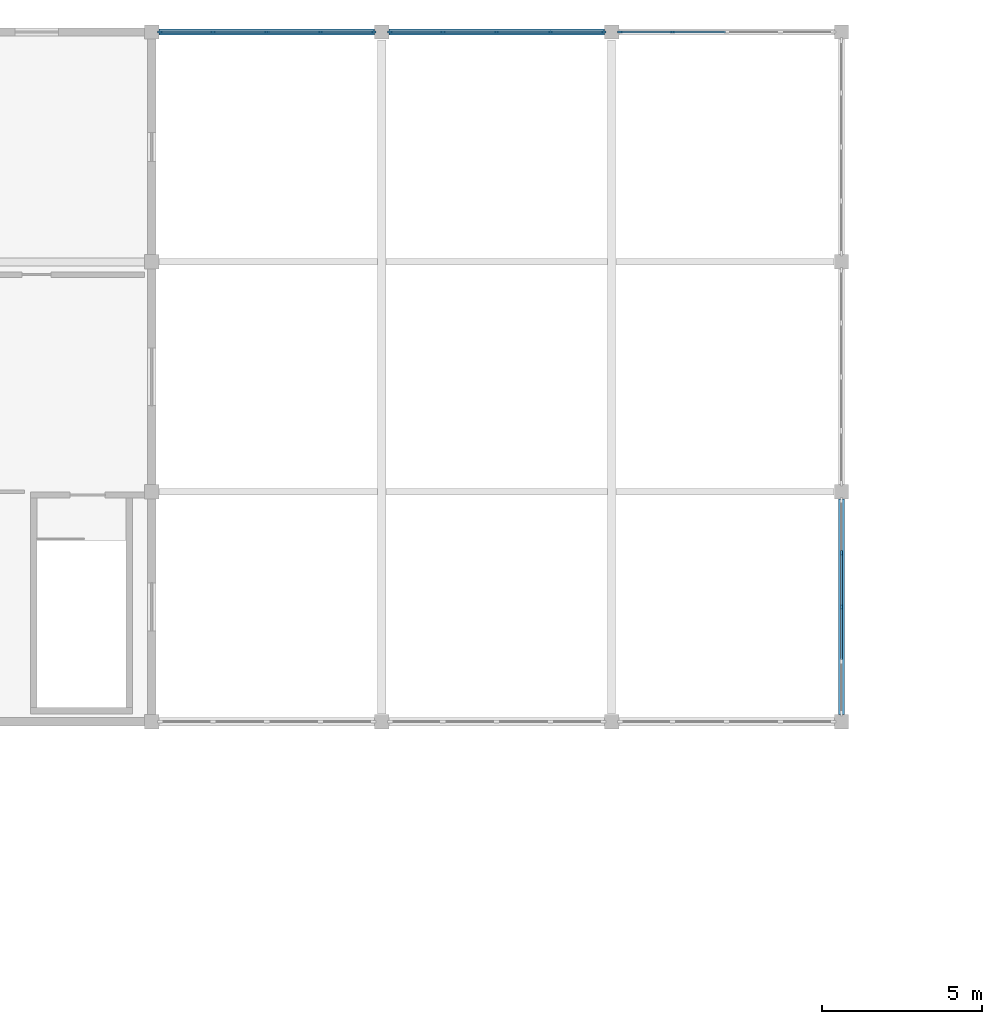
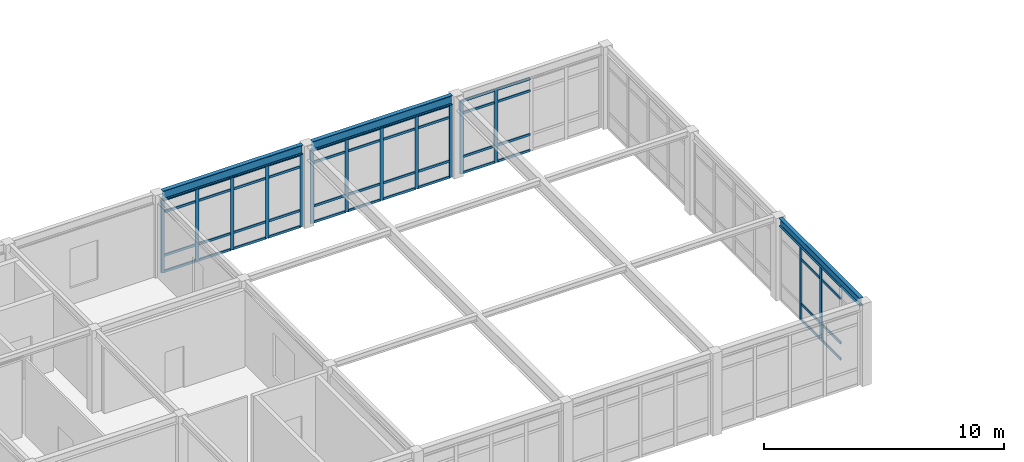
# One storey, part 45 of 136: 61 members, 3 beams, 4 elements without a shape of their own.
"""IFC4 building model written with IfcOpenShell, lengths in metres."""

from ifc_helpers import new_model, si_unit, direction, frame, origin, origin_2d, place, context, subcontext, project, spatial, rectangle, i_section, extrude, material, layer, layer_set, material_profile, profile_set, type_object, element, aggregate, save


model = new_model("IFC4")

# Units and contexts
model_context = context("Model", 3, precision=1e-05, world=origin(), true_north=direction((0.0, 1.0)))
body_context = subcontext(model_context, "Body", "Model", "MODEL_VIEW")
ifc_project = project(units=[si_unit("LENGTHUNIT", "METRE"), si_unit("AREAUNIT", "SQUARE_METRE"), si_unit("VOLUMEUNIT", "CUBIC_METRE"), si_unit("PLANEANGLEUNIT", "RADIAN"), si_unit("MASSUNIT", "GRAM", prefix="KILO")], contexts=[model_context])

# Site, building, storey
site_placement = place(None, origin())
site = spatial("IfcSite", under=ifc_project, at=site_placement, CompositionType="ELEMENT")
building_placement = place(site_placement, origin())
building = spatial("IfcBuilding", under=site, at=building_placement, Name="Koriwan Promenade Central Fire Station", CompositionType="ELEMENT")
storey_placement = place(building_placement, frame((0.0, 0.0, 5.39990234375)))
storey = spatial("IfcBuildingStorey", under=building, at=storey_placement, Name="L01", CompositionType="ELEMENT", Elevation=5.39990234375)

# Curtain wall, members
ifc_material_1 = material(Name="Aluminium EN AW-6063-T6 and low-E glazing", Category="aluminium")
ifc_layer_1 = layer(ifc_material_1, 0.159912109375, Name="Aluminium EN AW-6063-T6 and low-E glazing")
ifc_layer_set_1 = layer_set([ifc_layer_1], Name="Aluminium EN AW-6063-T6 and low-E glazing")
curtain_wall_type_1 = type_object("IfcCurtainWallType", Name="CurtainWall_95_675x372", PredefinedType="USERDEFINED", material=ifc_layer_set_1)
curtain_wall_1_placement = place(storey_placement, origin())
curtain_wall_1 = element("IfcCurtainWall", 1, at=curtain_wall_1_placement, inside=storey, type_object=curtain_wall_type_1, Name="V6 L01 unitised curtain wall 300", ObjectType="UNITISED CURTAIN WALL", PredefinedType="USERDEFINED")
ifc_material_2 = material(Name="Aluminium EN AW-6063-T6", Category="aluminium")
ifc_material_profile_1 = material_profile(ifc_material_2, rectangle(XDim=0.06494140625, YDim=0.159912109375, at=origin_2d()), Name="ALU-MUL-65x160")
ifc_profile_set_1 = profile_set([ifc_material_profile_1], Name="Aluminium EN AW-6063-T6")
member_type_1 = type_object("IfcMemberType", Name="CWMullion_ALU-MUL-65x160", PredefinedType="MULLION", material=ifc_profile_set_1)
member_1_placement = place(storey_placement, frame((14.657470703125, 115.199951171875, 0.0), z_axis=(0.0, 0.0, 1.0), x_axis=(0.0, 1.0, 0.0)))
member_1 = element("IfcMember", 2, at=member_1_placement, type_object=member_type_1, Name="CW-95 mullion 1", PredefinedType="MULLION", context=body_context, shape_type="SweptSolid", body=[
    extrude(rectangle(XDim=0.06494140625, YDim=0.159912109375, at=origin_2d()), origin(), (0.0, 0.0, 1.0), 3.72119140625),
])
member_2_placement = place(storey_placement, frame((16.3125, 115.199951171875, 0.0), z_axis=(0.0, 0.0, 1.0), x_axis=(0.0, 1.0, 0.0)))
member_2 = element("IfcMember", 3, at=member_2_placement, type_object=member_type_1, Name="CW-95 mullion 2", PredefinedType="MULLION", context=body_context, shape_type="SweptSolid", body=[
    extrude(rectangle(XDim=0.06494140625, YDim=0.159912109375, at=origin_2d()), origin(), (0.0, 0.0, 1.0), 3.72119140625),
])
member_3_placement = place(storey_placement, frame((18.0, 115.199951171875, 0.0), z_axis=(0.0, 0.0, 1.0), x_axis=(0.0, 1.0, 0.0)))
member_3 = element("IfcMember", 4, at=member_3_placement, type_object=member_type_1, Name="CW-95 mullion 3", PredefinedType="MULLION", context=body_context, shape_type="SweptSolid", body=[
    extrude(rectangle(XDim=0.06494140625, YDim=0.159912109375, at=origin_2d()), origin(), (0.0, 0.0, 1.0), 3.72119140625),
])
member_4_placement = place(storey_placement, frame((19.6875, 115.199951171875, 0.0), z_axis=(0.0, 0.0, 1.0), x_axis=(0.0, 1.0, 0.0)))
member_4 = element("IfcMember", 5, at=member_4_placement, type_object=member_type_1, Name="CW-95 mullion 4", PredefinedType="MULLION", context=body_context, shape_type="SweptSolid", body=[
    extrude(rectangle(XDim=0.06494140625, YDim=0.159912109375, at=origin_2d()), origin(), (0.0, 0.0, 1.0), 3.72119140625),
])
member_5_placement = place(storey_placement, frame((21.342529296875, 115.199951171875, 0.0), z_axis=(0.0, 0.0, 1.0), x_axis=(0.0, 1.0, 0.0)))
member_5 = element("IfcMember", 6, at=member_5_placement, type_object=member_type_1, Name="CW-95 mullion 5", PredefinedType="MULLION", context=body_context, shape_type="SweptSolid", body=[
    extrude(rectangle(XDim=0.06494140625, YDim=0.159912109375, at=origin_2d()), origin(), (0.0, 0.0, 1.0), 3.72119140625),
])

curtain_wall_2_placement = place(storey_placement, origin())
curtain_wall_2 = element("IfcCurtainWall", 7, at=curtain_wall_2_placement, inside=storey, type_object=curtain_wall_type_1, Name="V6 L01 unitised curtain wall 302", ObjectType="UNITISED CURTAIN WALL", PredefinedType="USERDEFINED")
member_6_placement = place(storey_placement, frame((21.857421875, 115.199951171875, 0.0), z_axis=(0.0, 0.0, 1.0), x_axis=(0.0, 1.0, 0.0)))
member_6 = element("IfcMember", 8, at=member_6_placement, type_object=member_type_1, Name="CW-95 mullion 1", PredefinedType="MULLION", context=body_context, shape_type="SweptSolid", body=[
    extrude(rectangle(XDim=0.06494140625, YDim=0.159912109375, at=origin_2d()), origin(), (0.0, 0.0, 1.0), 3.72119140625),
])
member_7_placement = place(storey_placement, frame((23.512451171875, 115.199951171875, 0.0), z_axis=(0.0, 0.0, 1.0), x_axis=(0.0, 1.0, 0.0)))
member_7 = element("IfcMember", 9, at=member_7_placement, type_object=member_type_1, Name="CW-95 mullion 2", PredefinedType="MULLION", context=body_context, shape_type="SweptSolid", body=[
    extrude(rectangle(XDim=0.06494140625, YDim=0.159912109375, at=origin_2d()), origin(), (0.0, 0.0, 1.0), 3.72119140625),
])
member_8_placement = place(storey_placement, frame((25.199951171875, 115.199951171875, 0.0), z_axis=(0.0, 0.0, 1.0), x_axis=(0.0, 1.0, 0.0)))
member_8 = element("IfcMember", 10, at=member_8_placement, type_object=member_type_1, Name="CW-95 mullion 3", PredefinedType="MULLION", context=body_context, shape_type="SweptSolid", body=[
    extrude(rectangle(XDim=0.06494140625, YDim=0.159912109375, at=origin_2d()), origin(), (0.0, 0.0, 1.0), 3.72119140625),
])
member_9_placement = place(storey_placement, frame((26.887451171875, 115.199951171875, 0.0), z_axis=(0.0, 0.0, 1.0), x_axis=(0.0, 1.0, 0.0)))
member_9 = element("IfcMember", 11, at=member_9_placement, type_object=member_type_1, Name="CW-95 mullion 4", PredefinedType="MULLION", context=body_context, shape_type="SweptSolid", body=[
    extrude(rectangle(XDim=0.06494140625, YDim=0.159912109375, at=origin_2d()), origin(), (0.0, 0.0, 1.0), 3.72119140625),
])
member_10_placement = place(storey_placement, frame((28.54248046875, 115.199951171875, 0.0), z_axis=(0.0, 0.0, 1.0), x_axis=(0.0, 1.0, 0.0)))
member_10 = element("IfcMember", 12, at=member_10_placement, type_object=member_type_1, Name="CW-95 mullion 5", PredefinedType="MULLION", context=body_context, shape_type="SweptSolid", body=[
    extrude(rectangle(XDim=0.06494140625, YDim=0.159912109375, at=origin_2d()), origin(), (0.0, 0.0, 1.0), 3.72119140625),
])

curtain_wall_3_placement = place(storey_placement, origin())
curtain_wall_3 = element("IfcCurtainWall", 13, at=curtain_wall_3_placement, inside=storey, type_object=curtain_wall_type_1, Name="V6 L01 unitised curtain wall 304", ObjectType="UNITISED CURTAIN WALL", PredefinedType="USERDEFINED")
member_11_placement = place(storey_placement, frame((29.0576171875, 115.199951171875, 0.0), z_axis=(0.0, 0.0, 1.0), x_axis=(0.0, 1.0, 0.0)))
member_11 = element("IfcMember", 14, at=member_11_placement, type_object=member_type_1, Name="CW-95 mullion 1", PredefinedType="MULLION", context=body_context, shape_type="SweptSolid", body=[
    extrude(rectangle(XDim=0.06494140625, YDim=0.159912109375, at=origin_2d()), origin(), (0.0, 0.0, 1.0), 3.72119140625),
])
member_12_placement = place(storey_placement, frame((30.71240234375, 115.199951171875, 0.0), z_axis=(0.0, 0.0, 1.0), x_axis=(0.0, 1.0, 0.0)))
member_12 = element("IfcMember", 15, at=member_12_placement, type_object=member_type_1, Name="CW-95 mullion 2", PredefinedType="MULLION", context=body_context, shape_type="SweptSolid", body=[
    extrude(rectangle(XDim=0.06494140625, YDim=0.159912109375, at=origin_2d()), origin(), (0.0, 0.0, 1.0), 3.72119140625),
])

ifc_layer_2 = layer(ifc_material_1, 0.159912109375, Name="Aluminium EN AW-6063-T6 and low-E glazing")
ifc_layer_set_2 = layer_set([ifc_layer_2], Name="Aluminium EN AW-6063-T6 and low-E glazing")
curtain_wall_type_2 = type_object("IfcCurtainWallType", Name="CurtainWall_96_675x377", PredefinedType="USERDEFINED", material=ifc_layer_set_2)
curtain_wall_4_placement = place(storey_placement, origin())
curtain_wall_4 = element("IfcCurtainWall", 16, at=curtain_wall_4_placement, inside=storey, type_object=curtain_wall_type_2, Name="V6 L01 unitised curtain wall 305", ObjectType="UNITISED CURTAIN WALL", PredefinedType="USERDEFINED")
member_13_placement = place(storey_placement, frame((36.0, 97.199951171875, 0.0), z_axis=(0.0, 0.0, 1.0), x_axis=(-1.0, 0.0, 0.0)))
member_13 = element("IfcMember", 17, at=member_13_placement, type_object=member_type_1, Name="CW-96 mullion 3", PredefinedType="MULLION", context=body_context, shape_type="SweptSolid", body=[
    extrude(rectangle(XDim=0.06494140625, YDim=0.159912109375, at=origin_2d()), origin(), (0.0, 0.0, 1.0), 3.773193359375),
])
member_14_placement = place(storey_placement, frame((36.0, 98.887451171875, 0.0), z_axis=(0.0, 0.0, 1.0), x_axis=(-1.0, 0.0, 0.0)))
member_14 = element("IfcMember", 18, at=member_14_placement, type_object=member_type_1, Name="CW-96 mullion 4", PredefinedType="MULLION", context=body_context, shape_type="SweptSolid", body=[
    extrude(rectangle(XDim=0.06494140625, YDim=0.159912109375, at=origin_2d()), origin(), (0.0, 0.0, 1.0), 3.773193359375),
])

# Member
ifc_material_profile_2 = material_profile(ifc_material_2, rectangle(XDim=0.06494140625, YDim=0.1201171875, at=origin_2d()), Name="ALU-TRN-65x120")
ifc_profile_set_2 = profile_set([ifc_material_profile_2], Name="Aluminium EN AW-6063-T6")
member_type_2 = type_object("IfcMemberType", Name="CWTransom_ALU-TRN-65x120", PredefinedType="USERDEFINED", material=ifc_profile_set_2)
member_15_placement = place(storey_placement, frame((14.68994140625, 115.199951171875, 0.03271484375), z_axis=(1.0, 0.0, 0.0), x_axis=(0.0, 1.0, 0.0)))
member_15 = element("IfcMember", 19, at=member_15_placement, type_object=member_type_2, Name="CW-95 transom 1.1", ObjectType="TRANSOM", PredefinedType="USERDEFINED", context=body_context, shape_type="SweptSolid", body=[
    extrude(rectangle(XDim=0.06494140625, YDim=0.1201171875, at=origin_2d()), origin(), (0.0, 0.0, 1.0), 1.590087890625),
])

member_16_placement = place(storey_placement, frame((14.68994140625, 115.199951171875, 0.85009765625), z_axis=(1.0, 0.0, 0.0), x_axis=(0.0, 1.0, 0.0)))
member_16 = element("IfcMember", 20, at=member_16_placement, type_object=member_type_2, Name="CW-95 transom 1.2", ObjectType="TRANSOM", PredefinedType="USERDEFINED", context=body_context, shape_type="SweptSolid", body=[
    extrude(rectangle(XDim=0.06494140625, YDim=0.1201171875, at=origin_2d()), origin(), (0.0, 0.0, 1.0), 1.590087890625),
])

member_17_placement = place(storey_placement, frame((14.68994140625, 115.199951171875, 3.071044921875), z_axis=(1.0, 0.0, 0.0), x_axis=(0.0, 1.0, 0.0)))
member_17 = element("IfcMember", 21, at=member_17_placement, type_object=member_type_2, Name="CW-95 transom 1.3", ObjectType="TRANSOM", PredefinedType="USERDEFINED", context=body_context, shape_type="SweptSolid", body=[
    extrude(rectangle(XDim=0.06494140625, YDim=0.1201171875, at=origin_2d()), origin(), (0.0, 0.0, 1.0), 1.590087890625),
])

member_18_placement = place(storey_placement, frame((14.68994140625, 115.199951171875, 3.6884765625), z_axis=(1.0, 0.0, 0.0), x_axis=(0.0, 1.0, 0.0)))
member_18 = element("IfcMember", 22, at=member_18_placement, type_object=member_type_2, Name="CW-95 transom 1.4", ObjectType="TRANSOM", PredefinedType="USERDEFINED", context=body_context, shape_type="SweptSolid", body=[
    extrude(rectangle(XDim=0.06494140625, YDim=0.1201171875, at=origin_2d()), origin(), (0.0, 0.0, 1.0), 1.590087890625),
])

member_19_placement = place(storey_placement, frame((16.344970703125, 115.199951171875, 0.03271484375), z_axis=(1.0, 0.0, 0.0), x_axis=(0.0, 1.0, 0.0)))
member_19 = element("IfcMember", 23, at=member_19_placement, type_object=member_type_2, Name="CW-95 transom 2.1", ObjectType="TRANSOM", PredefinedType="USERDEFINED", context=body_context, shape_type="SweptSolid", body=[
    extrude(rectangle(XDim=0.06494140625, YDim=0.1201171875, at=origin_2d()), origin(), (0.0, 0.0, 1.0), 1.62255859375),
])

member_20_placement = place(storey_placement, frame((16.344970703125, 115.199951171875, 0.85009765625), z_axis=(1.0, 0.0, 0.0), x_axis=(0.0, 1.0, 0.0)))
member_20 = element("IfcMember", 24, at=member_20_placement, type_object=member_type_2, Name="CW-95 transom 2.2", ObjectType="TRANSOM", PredefinedType="USERDEFINED", context=body_context, shape_type="SweptSolid", body=[
    extrude(rectangle(XDim=0.06494140625, YDim=0.1201171875, at=origin_2d()), origin(), (0.0, 0.0, 1.0), 1.62255859375),
])

member_21_placement = place(storey_placement, frame((16.344970703125, 115.199951171875, 3.071044921875), z_axis=(1.0, 0.0, 0.0), x_axis=(0.0, 1.0, 0.0)))
member_21 = element("IfcMember", 25, at=member_21_placement, type_object=member_type_2, Name="CW-95 transom 2.3", ObjectType="TRANSOM", PredefinedType="USERDEFINED", context=body_context, shape_type="SweptSolid", body=[
    extrude(rectangle(XDim=0.06494140625, YDim=0.1201171875, at=origin_2d()), origin(), (0.0, 0.0, 1.0), 1.62255859375),
])

member_22_placement = place(storey_placement, frame((16.344970703125, 115.199951171875, 3.6884765625), z_axis=(1.0, 0.0, 0.0), x_axis=(0.0, 1.0, 0.0)))
member_22 = element("IfcMember", 26, at=member_22_placement, type_object=member_type_2, Name="CW-95 transom 2.4", ObjectType="TRANSOM", PredefinedType="USERDEFINED", context=body_context, shape_type="SweptSolid", body=[
    extrude(rectangle(XDim=0.06494140625, YDim=0.1201171875, at=origin_2d()), origin(), (0.0, 0.0, 1.0), 1.62255859375),
])

member_23_placement = place(storey_placement, frame((18.032470703125, 115.199951171875, 0.03271484375), z_axis=(1.0, 0.0, 0.0), x_axis=(0.0, 1.0, 0.0)))
member_23 = element("IfcMember", 27, at=member_23_placement, type_object=member_type_2, Name="CW-95 transom 3.1", ObjectType="TRANSOM", PredefinedType="USERDEFINED", context=body_context, shape_type="SweptSolid", body=[
    extrude(rectangle(XDim=0.06494140625, YDim=0.1201171875, at=origin_2d()), origin(), (0.0, 0.0, 1.0), 1.62255859375),
])

member_24_placement = place(storey_placement, frame((18.032470703125, 115.199951171875, 0.85009765625), z_axis=(1.0, 0.0, 0.0), x_axis=(0.0, 1.0, 0.0)))
member_24 = element("IfcMember", 28, at=member_24_placement, type_object=member_type_2, Name="CW-95 transom 3.2", ObjectType="TRANSOM", PredefinedType="USERDEFINED", context=body_context, shape_type="SweptSolid", body=[
    extrude(rectangle(XDim=0.06494140625, YDim=0.1201171875, at=origin_2d()), origin(), (0.0, 0.0, 1.0), 1.62255859375),
])

member_25_placement = place(storey_placement, frame((18.032470703125, 115.199951171875, 3.071044921875), z_axis=(1.0, 0.0, 0.0), x_axis=(0.0, 1.0, 0.0)))
member_25 = element("IfcMember", 29, at=member_25_placement, type_object=member_type_2, Name="CW-95 transom 3.3", ObjectType="TRANSOM", PredefinedType="USERDEFINED", context=body_context, shape_type="SweptSolid", body=[
    extrude(rectangle(XDim=0.06494140625, YDim=0.1201171875, at=origin_2d()), origin(), (0.0, 0.0, 1.0), 1.62255859375),
])

member_26_placement = place(storey_placement, frame((18.032470703125, 115.199951171875, 3.6884765625), z_axis=(1.0, 0.0, 0.0), x_axis=(0.0, 1.0, 0.0)))
member_26 = element("IfcMember", 30, at=member_26_placement, type_object=member_type_2, Name="CW-95 transom 3.4", ObjectType="TRANSOM", PredefinedType="USERDEFINED", context=body_context, shape_type="SweptSolid", body=[
    extrude(rectangle(XDim=0.06494140625, YDim=0.1201171875, at=origin_2d()), origin(), (0.0, 0.0, 1.0), 1.62255859375),
])

member_27_placement = place(storey_placement, frame((19.719970703125, 115.199951171875, 0.03271484375), z_axis=(1.0, 0.0, 0.0), x_axis=(0.0, 1.0, 0.0)))
member_27 = element("IfcMember", 31, at=member_27_placement, type_object=member_type_2, Name="CW-95 transom 4.1", ObjectType="TRANSOM", PredefinedType="USERDEFINED", context=body_context, shape_type="SweptSolid", body=[
    extrude(rectangle(XDim=0.06494140625, YDim=0.1201171875, at=origin_2d()), origin(), (0.0, 0.0, 1.0), 1.590087890625),
])

member_28_placement = place(storey_placement, frame((19.719970703125, 115.199951171875, 0.85009765625), z_axis=(1.0, 0.0, 0.0), x_axis=(0.0, 1.0, 0.0)))
member_28 = element("IfcMember", 32, at=member_28_placement, type_object=member_type_2, Name="CW-95 transom 4.2", ObjectType="TRANSOM", PredefinedType="USERDEFINED", context=body_context, shape_type="SweptSolid", body=[
    extrude(rectangle(XDim=0.06494140625, YDim=0.1201171875, at=origin_2d()), origin(), (0.0, 0.0, 1.0), 1.590087890625),
])

member_29_placement = place(storey_placement, frame((19.719970703125, 115.199951171875, 3.071044921875), z_axis=(1.0, 0.0, 0.0), x_axis=(0.0, 1.0, 0.0)))
member_29 = element("IfcMember", 33, at=member_29_placement, type_object=member_type_2, Name="CW-95 transom 4.3", ObjectType="TRANSOM", PredefinedType="USERDEFINED", context=body_context, shape_type="SweptSolid", body=[
    extrude(rectangle(XDim=0.06494140625, YDim=0.1201171875, at=origin_2d()), origin(), (0.0, 0.0, 1.0), 1.590087890625),
])

member_30_placement = place(storey_placement, frame((19.719970703125, 115.199951171875, 3.6884765625), z_axis=(1.0, 0.0, 0.0), x_axis=(0.0, 1.0, 0.0)))
member_30 = element("IfcMember", 34, at=member_30_placement, type_object=member_type_2, Name="CW-95 transom 4.4", ObjectType="TRANSOM", PredefinedType="USERDEFINED", context=body_context, shape_type="SweptSolid", body=[
    extrude(rectangle(XDim=0.06494140625, YDim=0.1201171875, at=origin_2d()), origin(), (0.0, 0.0, 1.0), 1.590087890625),
])

aggregate(curtain_wall_1, [member_1, member_2, member_3, member_4, member_5, member_15, member_16, member_17, member_18, member_19, member_20, member_21, member_22, member_23, member_24, member_25, member_26, member_27, member_28, member_29, member_30])

member_31_placement = place(storey_placement, frame((21.889892578125, 115.199951171875, 0.03271484375), z_axis=(1.0, 0.0, 0.0), x_axis=(0.0, 1.0, 0.0)))
member_31 = element("IfcMember", 35, at=member_31_placement, type_object=member_type_2, Name="CW-95 transom 1.1", ObjectType="TRANSOM", PredefinedType="USERDEFINED", context=body_context, shape_type="SweptSolid", body=[
    extrude(rectangle(XDim=0.06494140625, YDim=0.1201171875, at=origin_2d()), origin(), (0.0, 0.0, 1.0), 1.590087890625),
])

member_32_placement = place(storey_placement, frame((21.889892578125, 115.199951171875, 0.85009765625), z_axis=(1.0, 0.0, 0.0), x_axis=(0.0, 1.0, 0.0)))
member_32 = element("IfcMember", 36, at=member_32_placement, type_object=member_type_2, Name="CW-95 transom 1.2", ObjectType="TRANSOM", PredefinedType="USERDEFINED", context=body_context, shape_type="SweptSolid", body=[
    extrude(rectangle(XDim=0.06494140625, YDim=0.1201171875, at=origin_2d()), origin(), (0.0, 0.0, 1.0), 1.590087890625),
])

member_33_placement = place(storey_placement, frame((21.889892578125, 115.199951171875, 3.071044921875), z_axis=(1.0, 0.0, 0.0), x_axis=(0.0, 1.0, 0.0)))
member_33 = element("IfcMember", 37, at=member_33_placement, type_object=member_type_2, Name="CW-95 transom 1.3", ObjectType="TRANSOM", PredefinedType="USERDEFINED", context=body_context, shape_type="SweptSolid", body=[
    extrude(rectangle(XDim=0.06494140625, YDim=0.1201171875, at=origin_2d()), origin(), (0.0, 0.0, 1.0), 1.590087890625),
])

member_34_placement = place(storey_placement, frame((21.889892578125, 115.199951171875, 3.6884765625), z_axis=(1.0, 0.0, 0.0), x_axis=(0.0, 1.0, 0.0)))
member_34 = element("IfcMember", 38, at=member_34_placement, type_object=member_type_2, Name="CW-95 transom 1.4", ObjectType="TRANSOM", PredefinedType="USERDEFINED", context=body_context, shape_type="SweptSolid", body=[
    extrude(rectangle(XDim=0.06494140625, YDim=0.1201171875, at=origin_2d()), origin(), (0.0, 0.0, 1.0), 1.590087890625),
])

member_35_placement = place(storey_placement, frame((23.544921875, 115.199951171875, 0.03271484375), z_axis=(1.0, 0.0, 0.0), x_axis=(0.0, 1.0, 0.0)))
member_35 = element("IfcMember", 39, at=member_35_placement, type_object=member_type_2, Name="CW-95 transom 2.1", ObjectType="TRANSOM", PredefinedType="USERDEFINED", context=body_context, shape_type="SweptSolid", body=[
    extrude(rectangle(XDim=0.06494140625, YDim=0.1201171875, at=origin_2d()), origin(), (0.0, 0.0, 1.0), 1.62255859375),
])

member_36_placement = place(storey_placement, frame((23.544921875, 115.199951171875, 0.85009765625), z_axis=(1.0, 0.0, 0.0), x_axis=(0.0, 1.0, 0.0)))
member_36 = element("IfcMember", 40, at=member_36_placement, type_object=member_type_2, Name="CW-95 transom 2.2", ObjectType="TRANSOM", PredefinedType="USERDEFINED", context=body_context, shape_type="SweptSolid", body=[
    extrude(rectangle(XDim=0.06494140625, YDim=0.1201171875, at=origin_2d()), origin(), (0.0, 0.0, 1.0), 1.62255859375),
])

member_37_placement = place(storey_placement, frame((23.544921875, 115.199951171875, 3.071044921875), z_axis=(1.0, 0.0, 0.0), x_axis=(0.0, 1.0, 0.0)))
member_37 = element("IfcMember", 41, at=member_37_placement, type_object=member_type_2, Name="CW-95 transom 2.3", ObjectType="TRANSOM", PredefinedType="USERDEFINED", context=body_context, shape_type="SweptSolid", body=[
    extrude(rectangle(XDim=0.06494140625, YDim=0.1201171875, at=origin_2d()), origin(), (0.0, 0.0, 1.0), 1.62255859375),
])

member_38_placement = place(storey_placement, frame((23.544921875, 115.199951171875, 3.6884765625), z_axis=(1.0, 0.0, 0.0), x_axis=(0.0, 1.0, 0.0)))
member_38 = element("IfcMember", 42, at=member_38_placement, type_object=member_type_2, Name="CW-95 transom 2.4", ObjectType="TRANSOM", PredefinedType="USERDEFINED", context=body_context, shape_type="SweptSolid", body=[
    extrude(rectangle(XDim=0.06494140625, YDim=0.1201171875, at=origin_2d()), origin(), (0.0, 0.0, 1.0), 1.62255859375),
])

member_39_placement = place(storey_placement, frame((25.232421875, 115.199951171875, 0.03271484375), z_axis=(1.0, 0.0, 0.0), x_axis=(0.0, 1.0, 0.0)))
member_39 = element("IfcMember", 43, at=member_39_placement, type_object=member_type_2, Name="CW-95 transom 3.1", ObjectType="TRANSOM", PredefinedType="USERDEFINED", context=body_context, shape_type="SweptSolid", body=[
    extrude(rectangle(XDim=0.06494140625, YDim=0.1201171875, at=origin_2d()), origin(), (0.0, 0.0, 1.0), 1.62255859375),
])

member_40_placement = place(storey_placement, frame((25.232421875, 115.199951171875, 0.85009765625), z_axis=(1.0, 0.0, 0.0), x_axis=(0.0, 1.0, 0.0)))
member_40 = element("IfcMember", 44, at=member_40_placement, type_object=member_type_2, Name="CW-95 transom 3.2", ObjectType="TRANSOM", PredefinedType="USERDEFINED", context=body_context, shape_type="SweptSolid", body=[
    extrude(rectangle(XDim=0.06494140625, YDim=0.1201171875, at=origin_2d()), origin(), (0.0, 0.0, 1.0), 1.62255859375),
])

member_41_placement = place(storey_placement, frame((25.232421875, 115.199951171875, 3.071044921875), z_axis=(1.0, 0.0, 0.0), x_axis=(0.0, 1.0, 0.0)))
member_41 = element("IfcMember", 45, at=member_41_placement, type_object=member_type_2, Name="CW-95 transom 3.3", ObjectType="TRANSOM", PredefinedType="USERDEFINED", context=body_context, shape_type="SweptSolid", body=[
    extrude(rectangle(XDim=0.06494140625, YDim=0.1201171875, at=origin_2d()), origin(), (0.0, 0.0, 1.0), 1.62255859375),
])

member_42_placement = place(storey_placement, frame((25.232421875, 115.199951171875, 3.6884765625), z_axis=(1.0, 0.0, 0.0), x_axis=(0.0, 1.0, 0.0)))
member_42 = element("IfcMember", 46, at=member_42_placement, type_object=member_type_2, Name="CW-95 transom 3.4", ObjectType="TRANSOM", PredefinedType="USERDEFINED", context=body_context, shape_type="SweptSolid", body=[
    extrude(rectangle(XDim=0.06494140625, YDim=0.1201171875, at=origin_2d()), origin(), (0.0, 0.0, 1.0), 1.62255859375),
])

member_43_placement = place(storey_placement, frame((26.919921875, 115.199951171875, 0.03271484375), z_axis=(1.0, 0.0, 0.0), x_axis=(0.0, 1.0, 0.0)))
member_43 = element("IfcMember", 47, at=member_43_placement, type_object=member_type_2, Name="CW-95 transom 4.1", ObjectType="TRANSOM", PredefinedType="USERDEFINED", context=body_context, shape_type="SweptSolid", body=[
    extrude(rectangle(XDim=0.06494140625, YDim=0.1201171875, at=origin_2d()), origin(), (0.0, 0.0, 1.0), 1.590087890625),
])

member_44_placement = place(storey_placement, frame((26.919921875, 115.199951171875, 0.85009765625), z_axis=(1.0, 0.0, 0.0), x_axis=(0.0, 1.0, 0.0)))
member_44 = element("IfcMember", 48, at=member_44_placement, type_object=member_type_2, Name="CW-95 transom 4.2", ObjectType="TRANSOM", PredefinedType="USERDEFINED", context=body_context, shape_type="SweptSolid", body=[
    extrude(rectangle(XDim=0.06494140625, YDim=0.1201171875, at=origin_2d()), origin(), (0.0, 0.0, 1.0), 1.590087890625),
])

member_45_placement = place(storey_placement, frame((26.919921875, 115.199951171875, 3.071044921875), z_axis=(1.0, 0.0, 0.0), x_axis=(0.0, 1.0, 0.0)))
member_45 = element("IfcMember", 49, at=member_45_placement, type_object=member_type_2, Name="CW-95 transom 4.3", ObjectType="TRANSOM", PredefinedType="USERDEFINED", context=body_context, shape_type="SweptSolid", body=[
    extrude(rectangle(XDim=0.06494140625, YDim=0.1201171875, at=origin_2d()), origin(), (0.0, 0.0, 1.0), 1.590087890625),
])

member_46_placement = place(storey_placement, frame((26.919921875, 115.199951171875, 3.6884765625), z_axis=(1.0, 0.0, 0.0), x_axis=(0.0, 1.0, 0.0)))
member_46 = element("IfcMember", 50, at=member_46_placement, type_object=member_type_2, Name="CW-95 transom 4.4", ObjectType="TRANSOM", PredefinedType="USERDEFINED", context=body_context, shape_type="SweptSolid", body=[
    extrude(rectangle(XDim=0.06494140625, YDim=0.1201171875, at=origin_2d()), origin(), (0.0, 0.0, 1.0), 1.590087890625),
])

aggregate(curtain_wall_2, [member_6, member_7, member_8, member_9, member_10, member_31, member_32, member_33, member_34, member_35, member_36, member_37, member_38, member_39, member_40, member_41, member_42, member_43, member_44, member_45, member_46])

member_47_placement = place(storey_placement, frame((29.090087890625, 115.199951171875, 0.03271484375), z_axis=(1.0, 0.0, 0.0), x_axis=(0.0, 1.0, 0.0)))
member_47 = element("IfcMember", 51, at=member_47_placement, type_object=member_type_2, Name="CW-95 transom 1.1", ObjectType="TRANSOM", PredefinedType="USERDEFINED", context=body_context, shape_type="SweptSolid", body=[
    extrude(rectangle(XDim=0.06494140625, YDim=0.1201171875, at=origin_2d()), origin(), (0.0, 0.0, 1.0), 1.58984375),
])

member_48_placement = place(storey_placement, frame((29.090087890625, 115.199951171875, 0.85009765625), z_axis=(1.0, 0.0, 0.0), x_axis=(0.0, 1.0, 0.0)))
member_48 = element("IfcMember", 52, at=member_48_placement, type_object=member_type_2, Name="CW-95 transom 1.2", ObjectType="TRANSOM", PredefinedType="USERDEFINED", context=body_context, shape_type="SweptSolid", body=[
    extrude(rectangle(XDim=0.06494140625, YDim=0.1201171875, at=origin_2d()), origin(), (0.0, 0.0, 1.0), 1.58984375),
])

member_49_placement = place(storey_placement, frame((29.090087890625, 115.199951171875, 3.071044921875), z_axis=(1.0, 0.0, 0.0), x_axis=(0.0, 1.0, 0.0)))
member_49 = element("IfcMember", 53, at=member_49_placement, type_object=member_type_2, Name="CW-95 transom 1.3", ObjectType="TRANSOM", PredefinedType="USERDEFINED", context=body_context, shape_type="SweptSolid", body=[
    extrude(rectangle(XDim=0.06494140625, YDim=0.1201171875, at=origin_2d()), origin(), (0.0, 0.0, 1.0), 1.58984375),
])

member_50_placement = place(storey_placement, frame((29.090087890625, 115.199951171875, 3.6884765625), z_axis=(1.0, 0.0, 0.0), x_axis=(0.0, 1.0, 0.0)))
member_50 = element("IfcMember", 54, at=member_50_placement, type_object=member_type_2, Name="CW-95 transom 1.4", ObjectType="TRANSOM", PredefinedType="USERDEFINED", context=body_context, shape_type="SweptSolid", body=[
    extrude(rectangle(XDim=0.06494140625, YDim=0.1201171875, at=origin_2d()), origin(), (0.0, 0.0, 1.0), 1.58984375),
])

member_51_placement = place(storey_placement, frame((30.7451171875, 115.199951171875, 0.03271484375), z_axis=(1.0, 0.0, 0.0), x_axis=(0.0, 1.0, 0.0)))
member_51 = element("IfcMember", 55, at=member_51_placement, type_object=member_type_2, Name="CW-95 transom 2.1", ObjectType="TRANSOM", PredefinedType="USERDEFINED", context=body_context, shape_type="SweptSolid", body=[
    extrude(rectangle(XDim=0.06494140625, YDim=0.1201171875, at=origin_2d()), origin(), (0.0, 0.0, 1.0), 1.622314453125),
])

member_52_placement = place(storey_placement, frame((30.7451171875, 115.199951171875, 0.85009765625), z_axis=(1.0, 0.0, 0.0), x_axis=(0.0, 1.0, 0.0)))
member_52 = element("IfcMember", 56, at=member_52_placement, type_object=member_type_2, Name="CW-95 transom 2.2", ObjectType="TRANSOM", PredefinedType="USERDEFINED", context=body_context, shape_type="SweptSolid", body=[
    extrude(rectangle(XDim=0.06494140625, YDim=0.1201171875, at=origin_2d()), origin(), (0.0, 0.0, 1.0), 1.622314453125),
])

member_53_placement = place(storey_placement, frame((30.7451171875, 115.199951171875, 3.071044921875), z_axis=(1.0, 0.0, 0.0), x_axis=(0.0, 1.0, 0.0)))
member_53 = element("IfcMember", 57, at=member_53_placement, type_object=member_type_2, Name="CW-95 transom 2.3", ObjectType="TRANSOM", PredefinedType="USERDEFINED", context=body_context, shape_type="SweptSolid", body=[
    extrude(rectangle(XDim=0.06494140625, YDim=0.1201171875, at=origin_2d()), origin(), (0.0, 0.0, 1.0), 1.622314453125),
])

member_54_placement = place(storey_placement, frame((30.7451171875, 115.199951171875, 3.6884765625), z_axis=(1.0, 0.0, 0.0), x_axis=(0.0, 1.0, 0.0)))
member_54 = element("IfcMember", 58, at=member_54_placement, type_object=member_type_2, Name="CW-95 transom 2.4", ObjectType="TRANSOM", PredefinedType="USERDEFINED", context=body_context, shape_type="SweptSolid", body=[
    extrude(rectangle(XDim=0.06494140625, YDim=0.1201171875, at=origin_2d()), origin(), (0.0, 0.0, 1.0), 1.622314453125),
])

aggregate(curtain_wall_3, [member_11, member_12, member_47, member_48, member_49, member_50, member_51, member_52, member_53, member_54])

member_55_placement = place(storey_placement, frame((36.0, 95.544921875, 0.03271484375), z_axis=(0.0, 1.0, 0.0), x_axis=(-1.0, 0.0, 0.0)))
member_55 = element("IfcMember", 59, at=member_55_placement, type_object=member_type_2, Name="CW-96 transom 2.1", ObjectType="TRANSOM", PredefinedType="USERDEFINED", context=body_context, shape_type="SweptSolid", body=[
    extrude(rectangle(XDim=0.06494140625, YDim=0.1201171875, at=origin_2d()), origin(), (0.0, 0.0, 1.0), 1.62255859375),
])

member_56_placement = place(storey_placement, frame((36.0, 95.544921875, 0.85009765625), z_axis=(0.0, 1.0, 0.0), x_axis=(-1.0, 0.0, 0.0)))
member_56 = element("IfcMember", 60, at=member_56_placement, type_object=member_type_2, Name="CW-96 transom 2.2", ObjectType="TRANSOM", PredefinedType="USERDEFINED", context=body_context, shape_type="SweptSolid", body=[
    extrude(rectangle(XDim=0.06494140625, YDim=0.1201171875, at=origin_2d()), origin(), (0.0, 0.0, 1.0), 1.62255859375),
])

member_57_placement = place(storey_placement, frame((36.0, 95.544921875, 3.123046875), z_axis=(0.0, 1.0, 0.0), x_axis=(-1.0, 0.0, 0.0)))
member_57 = element("IfcMember", 61, at=member_57_placement, type_object=member_type_2, Name="CW-96 transom 2.3", ObjectType="TRANSOM", PredefinedType="USERDEFINED", context=body_context, shape_type="SweptSolid", body=[
    extrude(rectangle(XDim=0.06494140625, YDim=0.1201171875, at=origin_2d()), origin(), (0.0, 0.0, 1.0), 1.62255859375),
])

member_58_placement = place(storey_placement, frame((36.0, 95.544921875, 3.740478515625), z_axis=(0.0, 1.0, 0.0), x_axis=(-1.0, 0.0, 0.0)))
member_58 = element("IfcMember", 62, at=member_58_placement, type_object=member_type_2, Name="CW-96 transom 2.4", ObjectType="TRANSOM", PredefinedType="USERDEFINED", context=body_context, shape_type="SweptSolid", body=[
    extrude(rectangle(XDim=0.06494140625, YDim=0.1201171875, at=origin_2d()), origin(), (0.0, 0.0, 1.0), 1.62255859375),
])

member_59_placement = place(storey_placement, frame((36.0, 97.232421875, 0.03271484375), z_axis=(0.0, 1.0, 0.0), x_axis=(-1.0, 0.0, 0.0)))
member_59 = element("IfcMember", 63, at=member_59_placement, type_object=member_type_2, Name="CW-96 transom 3.1", ObjectType="TRANSOM", PredefinedType="USERDEFINED", context=body_context, shape_type="SweptSolid", body=[
    extrude(rectangle(XDim=0.06494140625, YDim=0.1201171875, at=origin_2d()), origin(), (0.0, 0.0, 1.0), 1.62255859375),
])

member_60_placement = place(storey_placement, frame((36.0, 97.232421875, 0.85009765625), z_axis=(0.0, 1.0, 0.0), x_axis=(-1.0, 0.0, 0.0)))
member_60 = element("IfcMember", 64, at=member_60_placement, type_object=member_type_2, Name="CW-96 transom 3.2", ObjectType="TRANSOM", PredefinedType="USERDEFINED", context=body_context, shape_type="SweptSolid", body=[
    extrude(rectangle(XDim=0.06494140625, YDim=0.1201171875, at=origin_2d()), origin(), (0.0, 0.0, 1.0), 1.62255859375),
])

member_61_placement = place(storey_placement, frame((36.0, 97.232421875, 3.123046875), z_axis=(0.0, 1.0, 0.0), x_axis=(-1.0, 0.0, 0.0)))
member_61 = element("IfcMember", 65, at=member_61_placement, type_object=member_type_2, Name="CW-96 transom 3.3", ObjectType="TRANSOM", PredefinedType="USERDEFINED", context=body_context, shape_type="SweptSolid", body=[
    extrude(rectangle(XDim=0.06494140625, YDim=0.1201171875, at=origin_2d()), origin(), (0.0, 0.0, 1.0), 1.62255859375),
])

aggregate(curtain_wall_4, [member_13, member_14, member_55, member_56, member_57, member_58, member_59, member_60, member_61])

# Beams
ifc_material_3 = material(Name="Steel ASTM A992 Grade 50", Category="steel")
ifc_material_profile_3 = material_profile(ifc_material_3, i_section(OverallWidth=0.180908203125, OverallDepth=0.4169921875, WebThickness=0.010986328125, FlangeThickness=0.018310546875, FilletRadius=0.01611328125, at=origin_2d()), Name="W410x85")
ifc_profile_set_3 = profile_set([ifc_material_profile_3], Name="Steel ASTM A992 Grade 50")
beam_type_1 = type_object("IfcBeamType", Name="SteelBeam_W410x85", PredefinedType="BEAM", material=ifc_profile_set_3)
beam_placement = place(storey_placement, frame((36.0, 93.824951171875, 3.99169921875), z_axis=(0.0, 1.0, 0.0), x_axis=(-1.0, 0.0, 0.0)))
element("IfcBeam", 66, at=beam_placement, inside=storey, type_object=beam_type_1, Name="V6 L01 girder Y-1066", PredefinedType="BEAM", context=body_context, shape_type="SweptSolid", body=[
    extrude(i_section(OverallWidth=0.180908203125, OverallDepth=0.4169921875, WebThickness=0.010986328125, FlangeThickness=0.018310546875, FilletRadius=0.01611328125, at=origin_2d()), origin(), (0.0, 0.0, 1.0), 6.75),
])
ifc_material_profile_4 = material_profile(ifc_material_3, i_section(OverallWidth=0.194091796875, OverallDepth=0.468994140625, WebThickness=0.0126953125, FlangeThickness=0.0205078125, FilletRadius=0.01806640625, at=origin_2d()), Name="W460x106")
ifc_profile_set_4 = profile_set([ifc_material_profile_4], Name="Steel ASTM A992 Grade 50")
beam_type_2 = type_object("IfcBeamType", Name="SteelBeam_W460x106", PredefinedType="BEAM", material=ifc_profile_set_4)
for number, where, z_axis, x_axis, name in (
    (67, (14.625, 115.199951171875, 3.965576171875), (1.0, 0.0, 0.0), (0.0, 1.0, 0.0), "V6 L01 girder X-1054"),
    (68, (21.824951171875, 115.199951171875, 3.965576171875), (1.0, 0.0, 0.0), (0.0, 1.0, 0.0), "V6 L01 girder X-1055"),
):
    element("IfcBeam", number, at=place(storey_placement, frame(where, z_axis=z_axis, x_axis=x_axis)), inside=storey, type_object=beam_type_2, Name=name, PredefinedType="BEAM", context=body_context, shape_type="SweptSolid", body=[
        extrude(i_section(OverallWidth=0.194091796875, OverallDepth=0.468994140625, WebThickness=0.0126953125, FlangeThickness=0.0205078125, FilletRadius=0.01806640625, at=origin_2d()), origin(), (0.0, 0.0, 1.0), 6.75),
    ])

save(model, "model.ifc")
